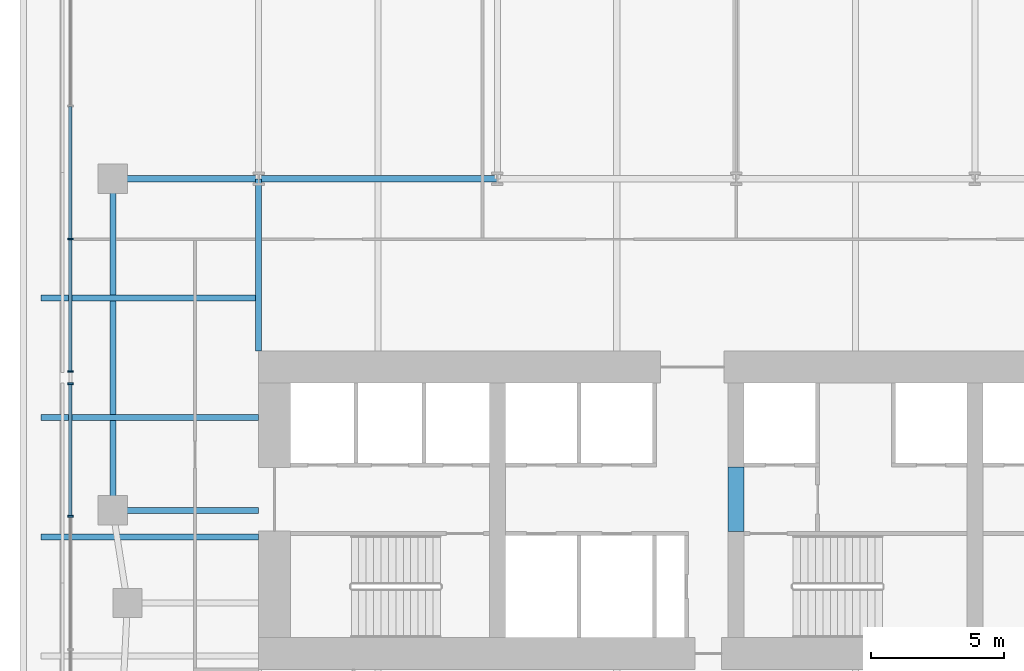
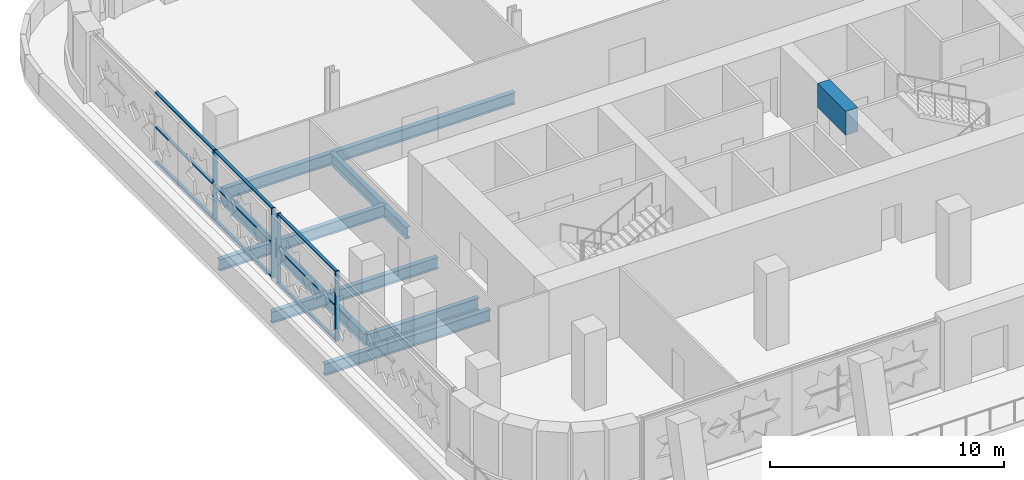
# One storey, part 4 of 26: 13 members, 8 beams, 2 elements without a shape of their own.
"""IFC4 building model written with IfcOpenShell, lengths in metres."""

from ifc_helpers import new_model, si_unit, direction, frame, origin, origin_2d, place, context, subcontext, project, spatial, rectangle, i_section, extrude, material, material_profile, profile_set, type_object, element, aggregate, save


model = new_model("IFC4")

# Units and contexts
model_context = context("Model", 3, precision=1e-05, world=origin(), true_north=direction((0.0, 1.0)))
body_context = subcontext(model_context, "Body", "Model", "MODEL_VIEW")
ifc_project = project(units=[si_unit("LENGTHUNIT", "METRE"), si_unit("AREAUNIT", "SQUARE_METRE"), si_unit("VOLUMEUNIT", "CUBIC_METRE"), si_unit("PLANEANGLEUNIT", "RADIAN"), si_unit("MASSUNIT", "GRAM", prefix="KILO")], contexts=[model_context])

# Site, building, storey
site_placement = place(None, origin())
site = spatial("IfcSite", under=ifc_project, at=site_placement, CompositionType="ELEMENT")
building_placement = place(site_placement, origin())
building = spatial("IfcBuilding", under=site, at=building_placement, Name="Zellij Exchange Tower", CompositionType="ELEMENT")
storey_placement = place(building_placement, frame((0.0, 0.0, 100.5)))
storey = spatial("IfcBuildingStorey", under=building, at=storey_placement, Name="L21", CompositionType="ELEMENT", Elevation=100.5)

# Beam
ifc_material_1 = material(Name="Concrete C70/85", Category="concrete")
ifc_material_profile_1 = material_profile(ifc_material_1, rectangle(XDim=0.60009765625, YDim=1.25, at=origin_2d()), Name="CORE-CB 600x1250 C70/85")
ifc_profile_set_1 = profile_set([ifc_material_profile_1], Name="Concrete C70/85")
beam_type_1 = type_object("IfcBeamType", Name="CORE-CB 600x1250 C70/85", PredefinedType="BEAM", material=ifc_profile_set_1)
beam_1_placement = place(storey_placement, frame((-9.0, -8.800048828125, 3.02490234375), z_axis=(0.0, 1.0, 0.0), x_axis=(-1.0, 0.0, 0.0)))
element("IfcBeam", 1, at=beam_1_placement, inside=storey, type_object=beam_type_1, Name="Core coupling beam x -9 L21", PredefinedType="BEAM", context=body_context, shape_type="SweptSolid", body=[
    extrude(rectangle(XDim=0.60009765625, YDim=1.25, at=origin_2d()), origin(), (0.0, 0.0, 1.0), 2.425048828125),
])

# Curtain wall, members
ifc_material_2 = material(Name="Aluminium frame, clear insulating glass", Category="aluminium")
curtain_wall_type = type_object("IfcCurtainWallType", Name="ENV-CW6 Sky-lobby glazing", PredefinedType="NOTDEFINED", material=ifc_material_2)
curtain_wall_1_placement = place(storey_placement, origin())
curtain_wall_1 = element("IfcCurtainWall", 2, at=curtain_wall_1_placement, inside=storey, type_object=curtain_wall_type, Name="cw.L21.21a", PredefinedType="NOTDEFINED")
ifc_material_3 = material(Name="Aluminium", Category="aluminium")
ifc_material_profile_2 = material_profile(ifc_material_3, rectangle(XDim=0.06005859375, YDim=0.199951171875, at=origin_2d()), Name="AL 60x200")
ifc_profile_set_2 = profile_set([ifc_material_profile_2], Name="Aluminium")
member_type_1 = type_object("IfcMemberType", Name="ENV-CW6M Mullion 60x200", PredefinedType="MULLION", material=ifc_profile_set_2)
member_1_placement = place(storey_placement, frame((-34.10009765625, 2.224609375, 0.0), z_axis=(0.0, 0.0, 1.0), x_axis=(0.0, -1.0, 0.0)))
member_1 = element("IfcMember", 3, at=member_1_placement, type_object=member_type_1, Name="CW6 mullion 3", PredefinedType="MULLION", context=body_context, shape_type="SweptSolid", body=[
    extrude(rectangle(XDim=0.06005859375, YDim=0.199951171875, at=origin_2d()), origin(), (0.0, 0.0, 1.0), 3.64990234375),
])
member_2_placement = place(storey_placement, frame((-34.10009765625, -2.77001953125, 0.0), z_axis=(0.0, 0.0, 1.0), x_axis=(0.0, -1.0, 0.0)))
member_2 = element("IfcMember", 4, at=member_2_placement, type_object=member_type_1, Name="CW6 mullion 4", PredefinedType="MULLION", context=body_context, shape_type="SweptSolid", body=[
    extrude(rectangle(XDim=0.06005859375, YDim=0.199951171875, at=origin_2d()), origin(), (0.0, 0.0, 1.0), 3.64990234375),
])

curtain_wall_2_placement = place(storey_placement, origin())
curtain_wall_2 = element("IfcCurtainWall", 5, at=curtain_wall_2_placement, inside=storey, type_object=curtain_wall_type, Name="cw.L21.21b", PredefinedType="NOTDEFINED")
member_3_placement = place(storey_placement, frame((-34.10009765625, -3.22998046875, 0.0), z_axis=(0.0, 0.0, 1.0), x_axis=(0.0, -1.0, 0.0)))
member_3 = element("IfcMember", 6, at=member_3_placement, type_object=member_type_1, Name="CW6 mullion 1", PredefinedType="MULLION", context=body_context, shape_type="SweptSolid", body=[
    extrude(rectangle(XDim=0.06005859375, YDim=0.199951171875, at=origin_2d()), origin(), (0.0, 0.0, 1.0), 3.64990234375),
])
member_4_placement = place(storey_placement, frame((-34.10009765625, -8.224609375, 0.0), z_axis=(0.0, 0.0, 1.0), x_axis=(0.0, -1.0, 0.0)))
member_4 = element("IfcMember", 7, at=member_4_placement, type_object=member_type_1, Name="CW6 mullion 2", PredefinedType="MULLION", context=body_context, shape_type="SweptSolid", body=[
    extrude(rectangle(XDim=0.06005859375, YDim=0.199951171875, at=origin_2d()), origin(), (0.0, 0.0, 1.0), 3.64990234375),
])

# Member
ifc_material_profile_3 = material_profile(ifc_material_3, rectangle(XDim=0.139892578125, YDim=0.06005859375, at=origin_2d()), Name="AL 140x60")
ifc_profile_set_3 = profile_set([ifc_material_profile_3], Name="Aluminium")
member_type_2 = type_object("IfcMemberType", Name="ENV-CW6T Transom 140x60", PredefinedType="USERDEFINED", material=ifc_profile_set_3)
member_5_placement = place(storey_placement, frame((-34.10009765625, 7.21923828125, 0.030029296875), z_axis=(0.0, -1.0, 0.0), x_axis=(1.0, 0.0, 0.0)))
member_5 = element("IfcMember", 8, at=member_5_placement, type_object=member_type_2, Name="CW6 transom 2.1", ObjectType="TRANSOM", PredefinedType="USERDEFINED", context=body_context, shape_type="SweptSolid", body=[
    extrude(rectangle(XDim=0.139892578125, YDim=0.06005859375, at=origin_2d()), origin(), (0.0, 0.0, 1.0), 4.964599609375),
])

member_6_placement = place(storey_placement, frame((-34.10009765625, 7.21923828125, 1.824951171875), z_axis=(0.0, -1.0, 0.0), x_axis=(1.0, 0.0, 0.0)))
member_6 = element("IfcMember", 9, at=member_6_placement, type_object=member_type_2, Name="CW6 transom 2.2", ObjectType="TRANSOM", PredefinedType="USERDEFINED", context=body_context, shape_type="SweptSolid", body=[
    extrude(rectangle(XDim=0.139892578125, YDim=0.06005859375, at=origin_2d()), origin(), (0.0, 0.0, 1.0), 4.964599609375),
])

member_7_placement = place(storey_placement, frame((-34.10009765625, 7.21923828125, 3.6201171875), z_axis=(0.0, -1.0, 0.0), x_axis=(1.0, 0.0, 0.0)))
member_7 = element("IfcMember", 10, at=member_7_placement, type_object=member_type_2, Name="CW6 transom 2.3", ObjectType="TRANSOM", PredefinedType="USERDEFINED", context=body_context, shape_type="SweptSolid", body=[
    extrude(rectangle(XDim=0.139892578125, YDim=0.06005859375, at=origin_2d()), origin(), (0.0, 0.0, 1.0), 4.964599609375),
])

member_8_placement = place(storey_placement, frame((-34.10009765625, 2.194580078125, 0.030029296875), z_axis=(0.0, -1.0, 0.0), x_axis=(1.0, 0.0, 0.0)))
member_8 = element("IfcMember", 11, at=member_8_placement, type_object=member_type_2, Name="CW6 transom 3.1", ObjectType="TRANSOM", PredefinedType="USERDEFINED", context=body_context, shape_type="SweptSolid", body=[
    extrude(rectangle(XDim=0.139892578125, YDim=0.06005859375, at=origin_2d()), origin(), (0.0, 0.0, 1.0), 4.9345703125),
])

member_9_placement = place(storey_placement, frame((-34.10009765625, 2.194580078125, 1.824951171875), z_axis=(0.0, -1.0, 0.0), x_axis=(1.0, 0.0, 0.0)))
member_9 = element("IfcMember", 12, at=member_9_placement, type_object=member_type_2, Name="CW6 transom 3.2", ObjectType="TRANSOM", PredefinedType="USERDEFINED", context=body_context, shape_type="SweptSolid", body=[
    extrude(rectangle(XDim=0.139892578125, YDim=0.06005859375, at=origin_2d()), origin(), (0.0, 0.0, 1.0), 4.9345703125),
])

member_10_placement = place(storey_placement, frame((-34.10009765625, 2.194580078125, 3.6201171875), z_axis=(0.0, -1.0, 0.0), x_axis=(1.0, 0.0, 0.0)))
member_10 = element("IfcMember", 13, at=member_10_placement, type_object=member_type_2, Name="CW6 transom 3.3", ObjectType="TRANSOM", PredefinedType="USERDEFINED", context=body_context, shape_type="SweptSolid", body=[
    extrude(rectangle(XDim=0.139892578125, YDim=0.06005859375, at=origin_2d()), origin(), (0.0, 0.0, 1.0), 4.9345703125),
])

aggregate(curtain_wall_1, [member_1, member_2, member_5, member_6, member_7, member_8, member_9, member_10])

member_11_placement = place(storey_placement, frame((-34.10009765625, -3.260009765625, 0.030029296875), z_axis=(0.0, -1.0, 0.0), x_axis=(1.0, 0.0, 0.0)))
member_11 = element("IfcMember", 14, at=member_11_placement, type_object=member_type_2, Name="CW6 transom 1.1", ObjectType="TRANSOM", PredefinedType="USERDEFINED", context=body_context, shape_type="SweptSolid", body=[
    extrude(rectangle(XDim=0.139892578125, YDim=0.06005859375, at=origin_2d()), origin(), (0.0, 0.0, 1.0), 4.9345703125),
])

member_12_placement = place(storey_placement, frame((-34.10009765625, -3.260009765625, 1.824951171875), z_axis=(0.0, -1.0, 0.0), x_axis=(1.0, 0.0, 0.0)))
member_12 = element("IfcMember", 15, at=member_12_placement, type_object=member_type_2, Name="CW6 transom 1.2", ObjectType="TRANSOM", PredefinedType="USERDEFINED", context=body_context, shape_type="SweptSolid", body=[
    extrude(rectangle(XDim=0.139892578125, YDim=0.06005859375, at=origin_2d()), origin(), (0.0, 0.0, 1.0), 4.9345703125),
])

member_13_placement = place(storey_placement, frame((-34.10009765625, -3.260009765625, 3.6201171875), z_axis=(0.0, -1.0, 0.0), x_axis=(1.0, 0.0, 0.0)))
member_13 = element("IfcMember", 16, at=member_13_placement, type_object=member_type_2, Name="CW6 transom 1.3", ObjectType="TRANSOM", PredefinedType="USERDEFINED", context=body_context, shape_type="SweptSolid", body=[
    extrude(rectangle(XDim=0.139892578125, YDim=0.06005859375, at=origin_2d()), origin(), (0.0, 0.0, 1.0), 4.9345703125),
])

aggregate(curtain_wall_2, [member_3, member_4, member_11, member_12, member_13])

# Beams
ifc_material_4 = material(Name="Structural steel ASTM A992 Gr 50", Category="steel")
ifc_material_profile_4 = material_profile(ifc_material_4, i_section(OverallWidth=0.227783203125, OverallDepth=0.60205078125, WebThickness=0.010498046875, FlangeThickness=0.014892578125, at=origin_2d()), Name="W24x68")
ifc_profile_set_4 = profile_set([ifc_material_profile_4], Name="Structural steel ASTM A992 Gr 50")
beam_type_2 = type_object("IfcBeamType", Name="STR-BEAM W24x68", PredefinedType="BEAM", material=ifc_profile_set_4)
for number, where, z_axis, x_axis, name in (
    (17, (-35.199951171875, -9.0, -0.60107421875), (1.0, 0.0, 0.0), (0.0, 1.0, 0.0), "B5"),
    (18, (-35.199951171875, -4.5, -0.60107421875), (1.0, 0.0, 0.0), (0.0, 1.0, 0.0), "B5"),
    (19, (-35.199951171875, 0.0, -0.60107421875), (1.0, 0.0, 0.0), (0.0, 1.0, 0.0), "B5"),
):
    element("IfcBeam", number, at=place(storey_placement, frame(where, z_axis=z_axis, x_axis=x_axis)), inside=storey, type_object=beam_type_2, Name=name, PredefinedType="BEAM", context=body_context, shape_type="SweptSolid", body=[
        extrude(i_section(OverallWidth=0.227783203125, OverallDepth=0.60205078125, WebThickness=0.010498046875, FlangeThickness=0.014892578125, at=origin_2d()), origin(), (0.0, 0.0, 1.0), 8.199951171875),
    ])
ifc_material_profile_5 = material_profile(ifc_material_4, i_section(OverallWidth=0.22900390625, OverallDepth=0.612060546875, WebThickness=0.011962890625, FlangeThickness=0.01953125, at=origin_2d()), Name="W24x84")
ifc_profile_set_5 = profile_set([ifc_material_profile_5], Name="Structural steel ASTM A992 Gr 50")
beam_type_3 = type_object("IfcBeamType", Name="STR-EDGE GIRDER W24x84", PredefinedType="BEAM", material=ifc_profile_set_5)
beam_2_placement = place(storey_placement, frame((-32.5, -8.0, -0.606201171875), z_axis=(0.0, 1.0, 0.0), x_axis=(-1.0, 0.0, 0.0)))
element("IfcBeam", 20, at=beam_2_placement, inside=storey, type_object=beam_type_3, Name="EB6", PredefinedType="BEAM", context=body_context, shape_type="SweptSolid", body=[
    extrude(i_section(OverallWidth=0.22900390625, OverallDepth=0.612060546875, WebThickness=0.011962890625, FlangeThickness=0.01953125, at=origin_2d()), origin(), (0.0, 0.0, 1.0), 12.5),
])
ifc_material_profile_6 = material_profile(ifc_material_4, i_section(OverallWidth=0.22900390625, OverallDepth=0.612060546875, WebThickness=0.011962890625, FlangeThickness=0.01953125, at=origin_2d()), Name="W24x84")
ifc_profile_set_6 = profile_set([ifc_material_profile_6], Name="Structural steel ASTM A992 Gr 50")
beam_type_4 = type_object("IfcBeamType", Name="STR-GIRDER W24x84", PredefinedType="BEAM", material=ifc_profile_set_6)
beam_3_placement = place(storey_placement, frame((-32.5, -8.0, -0.606201171875), z_axis=(1.0, 0.0, 0.0), x_axis=(0.0, 1.0, 0.0)))
element("IfcBeam", 21, at=beam_3_placement, inside=storey, type_object=beam_type_4, Name="G4", PredefinedType="BEAM", context=body_context, shape_type="SweptSolid", body=[
    extrude(i_section(OverallWidth=0.22900390625, OverallDepth=0.612060546875, WebThickness=0.011962890625, FlangeThickness=0.01953125, at=origin_2d()), origin(), (0.0, 0.0, 1.0), 5.5),
])
beam_4_placement = place(storey_placement, frame((-32.5, 4.5, -0.606201171875), z_axis=(1.0, 0.0, 0.0), x_axis=(0.0, 1.0, 0.0)))
element("IfcBeam", 22, at=beam_4_placement, inside=storey, type_object=beam_type_4, Name="G4", PredefinedType="BEAM", context=body_context, shape_type="SweptSolid", body=[
    extrude(i_section(OverallWidth=0.22900390625, OverallDepth=0.612060546875, WebThickness=0.011962890625, FlangeThickness=0.01953125, at=origin_2d()), origin(), (0.0, 0.0, 1.0), 14.5),
])
beam_5_placement = place(storey_placement, frame((-27.0, -2.0, -0.606201171875), z_axis=(0.0, 1.0, 0.0), x_axis=(-1.0, 0.0, 0.0)))
element("IfcBeam", 23, at=beam_5_placement, inside=storey, type_object=beam_type_4, Name="G4", PredefinedType="BEAM", context=body_context, shape_type="SweptSolid", body=[
    extrude(i_section(OverallWidth=0.22900390625, OverallDepth=0.612060546875, WebThickness=0.011962890625, FlangeThickness=0.01953125, at=origin_2d()), origin(), (0.0, 0.0, 1.0), 6.5),
])

save(model, "model.ifc")
